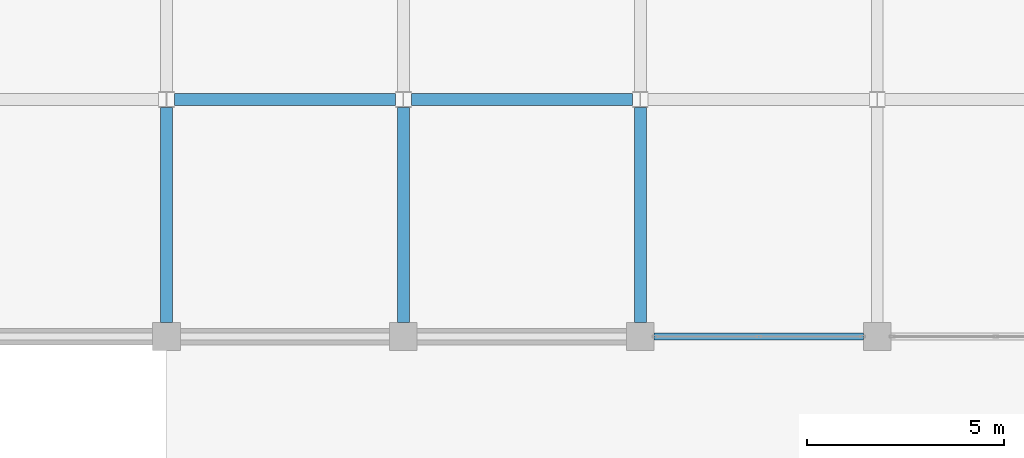
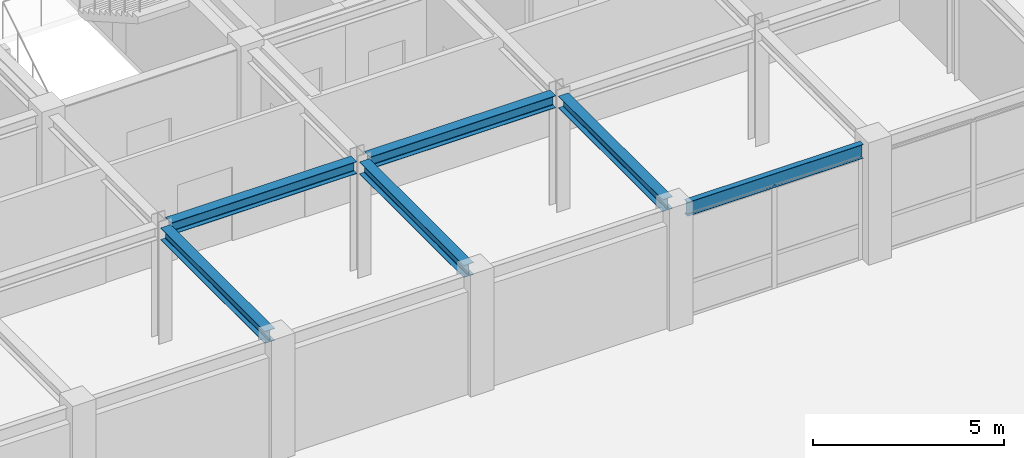
# One storey, part 12 of 25: 6 beams.
"""IFC4 building model written with IfcOpenShell, lengths in metres."""

from ifc_helpers import new_model, si_unit, direction, frame, origin, origin_2d, place, context, subcontext, project, spatial, i_section, extrude, material, material_profile, profile_set, type_object, element, save


model = new_model("IFC4")

# Units and contexts
model_context = context("Model", 3, precision=1e-05, world=origin(), true_north=direction((0.0, 1.0)))
body_context = subcontext(model_context, "Body", "Model", "MODEL_VIEW")
ifc_project = project(units=[si_unit("LENGTHUNIT", "METRE"), si_unit("AREAUNIT", "SQUARE_METRE"), si_unit("VOLUMEUNIT", "CUBIC_METRE"), si_unit("PLANEANGLEUNIT", "RADIAN"), si_unit("MASSUNIT", "GRAM", prefix="KILO")], contexts=[model_context])

# Site, building, storey
site_placement = place(None, origin())
site = spatial("IfcSite", under=ifc_project, at=site_placement, CompositionType="ELEMENT")
building_placement = place(site_placement, origin())
building = spatial("IfcBuilding", under=site, at=building_placement, Name="Zlatovratsky Civic Hall", CompositionType="ELEMENT")
storey_placement = place(building_placement, frame((0.0, 0.0, 21.0)))
storey = spatial("IfcBuildingStorey", under=building, at=storey_placement, Name="L05", CompositionType="ELEMENT", Elevation=21.0)

# Beams
ifc_material = material(Name="Steel S355", Category="steel")
ifc_material_profile_1 = material_profile(ifc_material, i_section(OverallWidth=0.169921875, OverallDepth=0.446044921875, WebThickness=0.007568359375, FlangeThickness=0.010986328125, FilletRadius=0.01611328125, at=origin_2d()), Name="45B1")
ifc_profile_set_1 = profile_set([ifc_material_profile_1], Name="Steel S355")
beam_type_1 = type_object("IfcBeamType", Name="Beam_Spandrel_45B1", PredefinedType="SPANDREL", material=ifc_profile_set_1)
beam_placement = place(storey_placement, frame((78.35009765625, 72.0, 3.47705078125), z_axis=(1.0, 0.0, 0.0), x_axis=(0.0, 1.0, 0.0)))
element("IfcBeam", 1, at=beam_placement, inside=storey, type_object=beam_type_1, Name="BM-3915", PredefinedType="SPANDREL", context=body_context, shape_type="SweptSolid", body=[
    extrude(i_section(OverallWidth=0.169921875, OverallDepth=0.446044921875, WebThickness=0.007568359375, FlangeThickness=0.010986328125, FilletRadius=0.01611328125, at=origin_2d()), origin(), (0.0, 0.0, 1.0), 5.2998046875),
])
ifc_material_profile_2 = material_profile(ifc_material, i_section(OverallWidth=0.300048828125, OverallDepth=0.387939453125, WebThickness=0.009521484375, FlangeThickness=0.013916015625, FilletRadius=0.02197265625, at=origin_2d()), Name="40Sh1")
ifc_profile_set_2 = profile_set([ifc_material_profile_2], Name="Steel S355")
beam_type_2 = type_object("IfcBeamType", Name="Beam_TowerMid_40Sh1", PredefinedType="BEAM", material=ifc_profile_set_2)
for number, where, z_axis, x_axis, name in (
    (2, (66.199951171875, 78.0, 3.506103515625), (1.0, 0.0, 0.0), (0.0, 1.0, 0.0), "BM-3927"),
    (3, (72.199951171875, 78.0, 3.506103515625), (1.0, 0.0, 0.0), (0.0, 1.0, 0.0), "BM-3928"),
):
    element("IfcBeam", number, at=place(storey_placement, frame(where, z_axis=z_axis, x_axis=x_axis)), inside=storey, type_object=beam_type_2, Name=name, PredefinedType="BEAM", context=body_context, shape_type="SweptSolid", body=[
        extrude(i_section(OverallWidth=0.300048828125, OverallDepth=0.387939453125, WebThickness=0.009521484375, FlangeThickness=0.013916015625, FilletRadius=0.02197265625, at=origin_2d()), origin(), (0.0, 0.0, 1.0), 5.60009765625),
    ])
for number, where, z_axis, x_axis, name in (
    (4, (66.0, 72.35009765625, 3.506103515625), (0.0, 1.0, 0.0), (-1.0, 0.0, 0.0), "BM-4029"),
    (5, (72.0, 72.35009765625, 3.506103515625), (0.0, 1.0, 0.0), (-1.0, 0.0, 0.0), "BM-4035"),
    (6, (78.0, 72.35009765625, 3.506103515625), (0.0, 1.0, 0.0), (-1.0, 0.0, 0.0), "BM-4041"),
):
    element("IfcBeam", number, at=place(storey_placement, frame(where, z_axis=z_axis, x_axis=x_axis)), inside=storey, type_object=beam_type_2, Name=name, PredefinedType="BEAM", context=body_context, shape_type="SweptSolid", body=[
        extrude(i_section(OverallWidth=0.300048828125, OverallDepth=0.387939453125, WebThickness=0.009521484375, FlangeThickness=0.013916015625, FilletRadius=0.02197265625, at=origin_2d()), origin(), (0.0, 0.0, 1.0), 5.449951171875),
    ])

save(model, "model.ifc")
